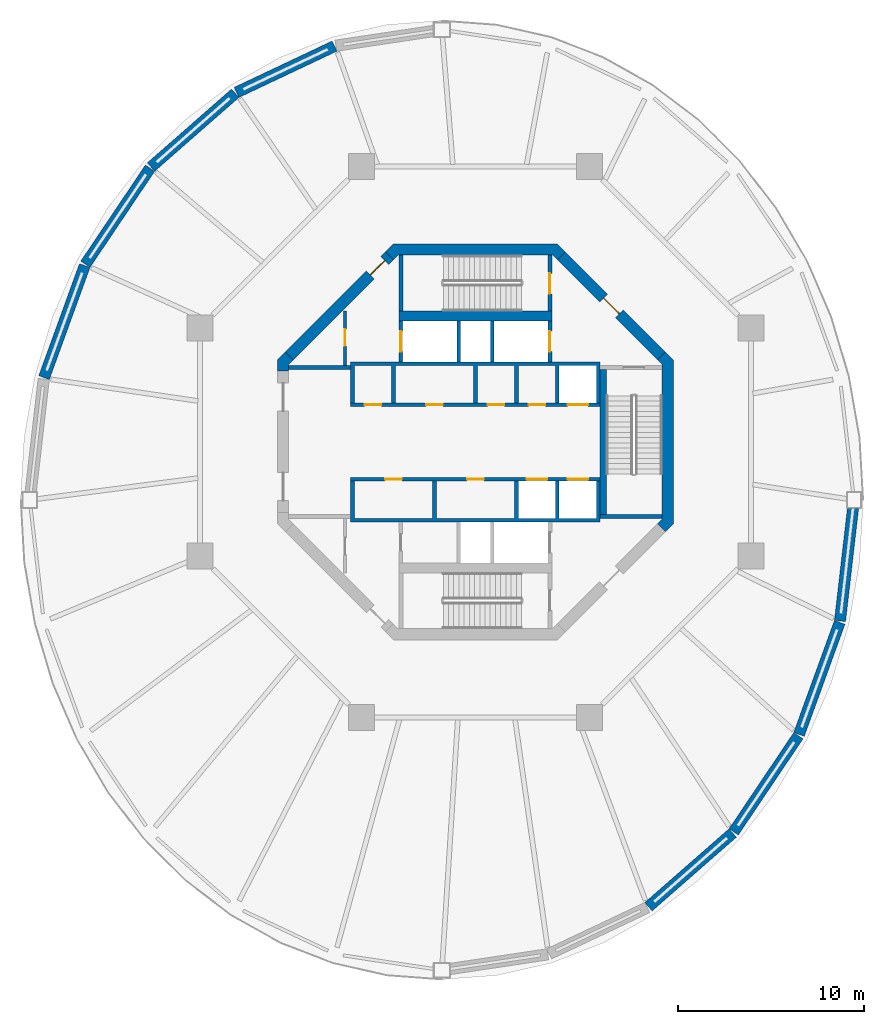
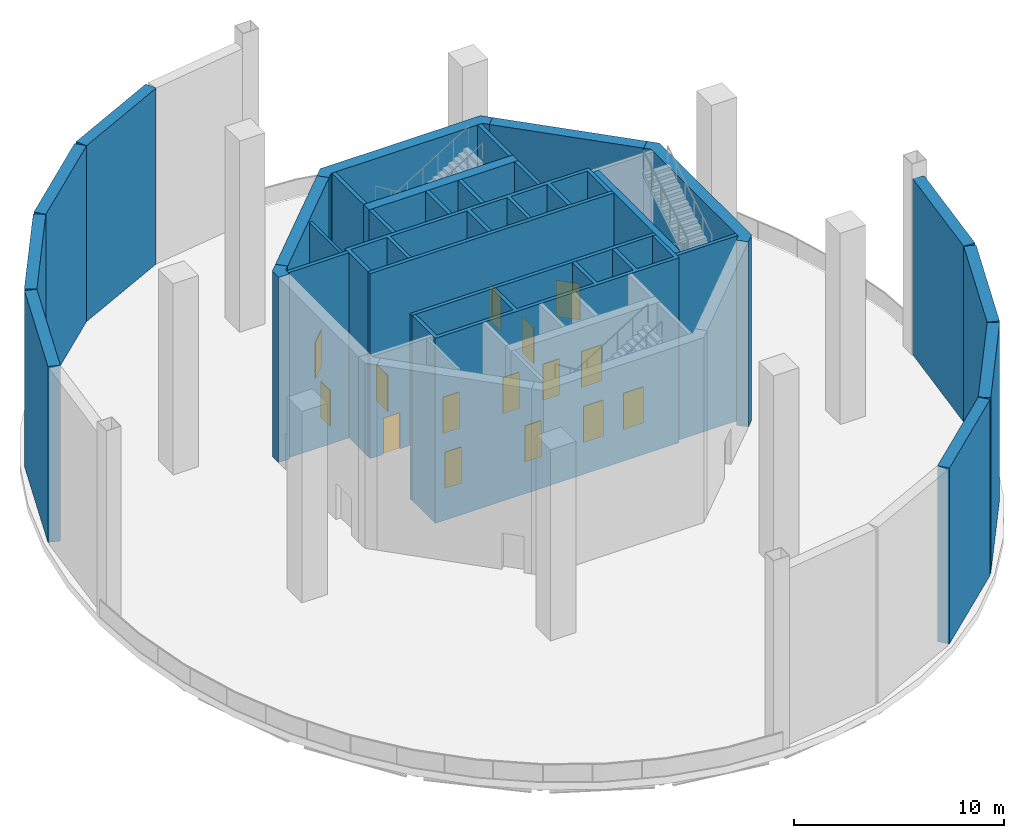
# One storey, part 3 of 7: 28 walls, 15 doors, 15 openings.
"""IFC4 building model written with IfcOpenShell, lengths in metres."""

from ifc_helpers import new_model, si_unit, direction, frame, frame_2d, origin, place, context, subcontext, project, spatial, polyline, rectangle, outline, extrude, material, layer, layer_set, type_object, element, fill, save


model = new_model("IFC4")

# Units and contexts
model_context = context("Model", 3, precision=1e-05, world=origin(), true_north=direction((0.0, 1.0)))
body_context = subcontext(model_context, "Body", "Model", "MODEL_VIEW")
ifc_project = project(units=[si_unit("LENGTHUNIT", "METRE"), si_unit("AREAUNIT", "SQUARE_METRE"), si_unit("VOLUMEUNIT", "CUBIC_METRE"), si_unit("PLANEANGLEUNIT", "RADIAN"), si_unit("MASSUNIT", "GRAM", prefix="KILO")], contexts=[model_context])

# Site, building, storey
site_placement = place(None, origin())
site = spatial("IfcSite", under=ifc_project, at=site_placement, CompositionType="ELEMENT")
building_placement = place(site_placement, origin())
building = spatial("IfcBuilding", under=site, at=building_placement, Name="Nagisa Residences", CompositionType="ELEMENT")
storey_placement = place(building_placement, frame((0.0, 0.0, 299.199951171875)))
storey = spatial("IfcBuildingStorey", under=building, at=storey_placement, Name="L76", CompositionType="ELEMENT", Elevation=299.199951171875)

# Wall, opening, door
ifc_material_1 = material(Name="Gypsum board on steel studs", Category="steel")
ifc_layer_1 = layer(ifc_material_1, 0.14990234375)
ifc_layer_set_1 = layer_set([ifc_layer_1], Name="Core partition 150")
wall_type_1 = type_object("IfcWallType", Name="Core partition 150", PredefinedType="PARTITIONING", material=ifc_layer_set_1)
wall_1_placement = place(storey_placement, frame((-7.0, 4.10009765625, 0.0), z_axis=(0.0, 0.0, 1.0), x_axis=(0.0, 1.0, 0.0)))
wall_1 = element("IfcWall", 1, at=wall_1_placement, inside=storey, type_object=wall_type_1, Name="wall:L76:NWp", PredefinedType="PARTITIONING", context=body_context, shape_type="SweptSolid", body=[
    extrude(rectangle(XDim=2.9267578125, YDim=0.14990234375, at=frame_2d((1.46337890625, 0.0))), origin(), (0.0, 0.0, 1.0), 10.75),
])
opening_1_placement = place(wall_1_placement, frame((1.051025390625, 0.0, 0.0)))
opening_1 = element("IfcOpeningElement", 2, at=opening_1_placement, cuts=wall_1, Name="Opening L76-C10", PredefinedType="OPENING", context=body_context, shape_type="SweptSolid", body=[
    extrude(rectangle(XDim=0.89990234375, YDim=2.10009765625, at=frame_2d((0.449951171875, 1.050048828125))), frame((0.0, 0.0849609375, 0.0), z_axis=(0.0, -1.0, 0.0), x_axis=(1.0, 0.0, 0.0)), (0.0, 0.0, 1.0), 0.169921875),
])
ifc_material_2 = material(Name="Steel fire door", Category="steel")
door_type_1 = type_object("IfcDoorType", Name="Fire door EI30 900x2100 single swing", OperationType="NOTDEFINED", PredefinedType="DOOR", material=ifc_material_2)
door_1_placement = place(opening_1_placement, origin())
door_1 = element("IfcDoor", 3, at=door_1_placement, inside=storey, type_object=door_type_1, Name="Electrical room door L76", OperationType="SINGLE_SWING_LEFT", OverallHeight=2.10009765625, OverallWidth=0.89990234375, PredefinedType="DOOR", context=body_context, shape_type="SweptSolid", body=[
    extrude(rectangle(XDim=0.89990234375, YDim=2.10009765625, at=frame_2d((0.449951171875, 1.050048828125))), frame((0.0, 0.02490234375, 0.0), z_axis=(0.0, -1.0, 0.0), x_axis=(1.0, 0.0, 0.0)), (0.0, 0.0, 1.0), 0.050048828125),
])
fill(opening_1, door_1)

# Wall
ifc_material_3 = material(Name="Gypsum board on steel studs", Category="steel")
ifc_layer_2 = layer(ifc_material_3, 0.199951171875)
ifc_layer_set_2 = layer_set([ifc_layer_2], Name="Core partition 200")
wall_type_2 = type_object("IfcWallType", Name="Core partition 200", PredefinedType="PARTITIONING", material=ifc_layer_set_2)
wall_2_placement = place(storey_placement, frame((-10.024658203125, 4.0, 0.0), z_axis=(0.0, 0.0, 1.0), x_axis=(1.0, 0.0, 0.0)))
element("IfcWall", 4, at=wall_2_placement, inside=storey, type_object=wall_type_2, Name="wall:L76:PNW", PredefinedType="PARTITIONING", context=body_context, shape_type="SweptSolid", body=[
    extrude(rectangle(XDim=3.32470703125, YDim=0.199951171875, at=frame_2d((1.662353515625, 0.0))), origin(), (0.0, 0.0, 1.0), 10.75),
])

# Wall, opening, door
ifc_material_4 = material(Name="Concrete C60", Category="concrete")
ifc_layer_3 = layer(ifc_material_4, 0.60009765625)
ifc_layer_set_3 = layer_set([ifc_layer_3], Name="Core shear wall 600")
wall_type_3 = type_object("IfcWallType", Name="Core shear wall 600", PredefinedType="SHEAR", material=ifc_layer_set_3)
wall_3_placement = place(storey_placement, frame((9.98828125, 4.613037109375, 0.0), z_axis=(0.0, 0.0, 1.0), x_axis=(-0.707106781187, 0.707106781187, 0.0)))
wall_3 = element("IfcWall", 5, at=wall_3_placement, inside=storey, type_object=wall_type_3, Name="wall:L76:core:flat1", PredefinedType="SHEAR", context=body_context, shape_type="SweptSolid", body=[
    extrude(rectangle(XDim=7.601806640625, YDim=0.60009765625, at=frame_2d((3.80078125, 0.0))), origin(), (0.0, 0.0, 1.0), 10.75),
])
opening_2_placement = place(wall_3_placement, frame((3.200927734375, 0.0, 0.0)))
opening_2 = element("IfcOpeningElement", 6, at=opening_2_placement, cuts=wall_3, Name="Opening L76-C19", PredefinedType="OPENING", context=body_context, shape_type="SweptSolid", body=[
    extrude(rectangle(XDim=1.199951171875, YDim=2.10009765625, at=frame_2d((0.60009765625, 1.050048828125))), frame((0.0, 0.31005859375, 0.0), z_axis=(0.0, -1.0, 0.0), x_axis=(1.0, 0.0, 0.0)), (0.0, 0.0, 1.0), 0.6201171875),
])
ifc_material_5 = material(Name="Steel fire door", Category="steel")
door_type_2 = type_object("IfcDoorType", Name="Fire door EI60 1200x2100 single swing", OperationType="NOTDEFINED", PredefinedType="DOOR", material=ifc_material_5)
door_2_placement = place(opening_2_placement, origin())
door_2 = element("IfcDoor", 7, at=door_2_placement, inside=storey, type_object=door_type_2, Name="Firefighting lobby 1 door L76", OperationType="SINGLE_SWING_LEFT", OverallHeight=2.10009765625, OverallWidth=1.199951171875, PredefinedType="DOOR", context=body_context, shape_type="SweptSolid", body=[
    extrude(rectangle(XDim=1.199951171875, YDim=2.10009765625, at=frame_2d((0.60009765625, 1.050048828125))), frame((0.0, 0.02490234375, 0.0), z_axis=(0.0, -1.0, 0.0), x_axis=(1.0, 0.0, 0.0)), (0.0, 0.0, 1.0), 0.050048828125),
])
fill(opening_2, door_2)

wall_4_placement = place(storey_placement, frame((-4.613037109375, 9.98828125, 0.0), z_axis=(0.0, 0.0, 1.0), x_axis=(-0.707106781187, -0.707106781187, 0.0)))
wall_4 = element("IfcWall", 8, at=wall_4_placement, inside=storey, type_object=wall_type_3, Name="wall:L76:core:flat3", PredefinedType="SHEAR", context=body_context, shape_type="SweptSolid", body=[
    extrude(rectangle(XDim=7.601806640625, YDim=0.60009765625, at=frame_2d((3.80078125, 0.0))), origin(), (0.0, 0.0, 1.0), 10.75),
])
opening_3_placement = place(wall_4_placement, frame((0.350830078125, 0.0, 0.0)))
opening_3 = element("IfcOpeningElement", 9, at=opening_3_placement, cuts=wall_4, Name="Opening L76-C23", PredefinedType="OPENING", context=body_context, shape_type="SweptSolid", body=[
    extrude(rectangle(XDim=1.10009765625, YDim=2.10009765625, at=frame_2d((0.550048828125, 1.050048828125))), frame((0.0, 0.31005859375, 0.0), z_axis=(0.0, -1.0, 0.0), x_axis=(1.0, 0.0, 0.0)), (0.0, 0.0, 1.0), 0.6201171875),
])
ifc_material_6 = material(Name="Steel fire door", Category="steel")
door_type_3 = type_object("IfcDoorType", Name="Fire door EI60 1100x2100 single swing", OperationType="NOTDEFINED", PredefinedType="DOOR", material=ifc_material_6)
door_3_placement = place(opening_3_placement, origin())
door_3 = element("IfcDoor", 10, at=door_3_placement, inside=storey, type_object=door_type_3, Name="Service lobby door L76", OperationType="SINGLE_SWING_LEFT", OverallHeight=2.10009765625, OverallWidth=1.10009765625, PredefinedType="DOOR", context=body_context, shape_type="SweptSolid", body=[
    extrude(rectangle(XDim=1.10009765625, YDim=2.10009765625, at=frame_2d((0.550048828125, 1.050048828125))), frame((0.0, 0.02490234375, 0.0), z_axis=(0.0, -1.0, 0.0), x_axis=(1.0, 0.0, 0.0)), (0.0, 0.0, 1.0), 0.050048828125),
])
fill(opening_3, door_3)

# Walls
wall_5_placement = place(storey_placement, origin())
element("IfcWall", 11, at=wall_5_placement, inside=storey, type_object=wall_type_3, Name="wall:L76:core:pier3", PredefinedType="SHEAR", context=body_context, shape_type="SweptSolid", body=[
    extrude(outline(polyline([(-10.200439453125, 4.8251953125), (-9.776123046875, 4.40087890625), (-10.024658203125, 4.15234375), (-10.024658203125, 3.80078125), (-10.62451171875, 3.80078125), (-10.62451171875, 4.40087890625), (-10.200439453125, 4.8251953125)])), origin(), (0.0, 0.0, 1.0), 10.75),
])
wall_6_placement = place(storey_placement, origin())
element("IfcWall", 12, at=wall_6_placement, inside=storey, type_object=wall_type_3, Name="wall:L76:core:flat2", PredefinedType="SHEAR", context=body_context, shape_type="SweptSolid", body=[
    extrude(outline(polyline([(-4.15234375, 10.024658203125), (-4.40087890625, 9.776123046875), (-4.8251953125, 10.200439453125), (-4.40087890625, 10.62451171875), (4.40087890625, 10.62451171875), (4.8251953125, 10.200439453125), (4.40087890625, 9.776123046875), (4.15234375, 10.024658203125), (-4.15234375, 10.024658203125)])), origin(), (0.0, 0.0, 1.0), 10.75),
])
wall_7_placement = place(storey_placement, origin())
element("IfcWall", 13, at=wall_7_placement, inside=storey, type_object=wall_type_3, Name="wall:L76:core:flat0", PredefinedType="SHEAR", context=body_context, shape_type="SweptSolid", body=[
    extrude(outline(polyline([(9.776123046875, -4.40087890625), (10.024658203125, -4.15234375), (10.024658203125, -3.801025390625), (10.024658203125, 4.15234375), (9.776123046875, 4.40087890625), (10.200439453125, 4.8251953125), (10.62451171875, 4.40087890625), (10.62451171875, -4.40087890625), (10.200439453125, -4.8251953125), (9.776123046875, -4.40087890625)])), origin(), (0.0, 0.0, 1.0), 10.75),
])

# Wall, opening, door
ifc_material_7 = material(Name="Concrete C60", Category="concrete")
ifc_layer_4 = layer(ifc_material_7, 0.199951171875)
ifc_layer_set_4 = layer_set([ifc_layer_4], Name="Lift shaft wall 200")
wall_type_4 = type_object("IfcWallType", Name="Lift shaft wall 200", PredefinedType="SOLIDWALL", material=ifc_layer_set_4)
wall_8_placement = place(storey_placement, frame((4.0, 4.300048828125, 0.0), z_axis=(0.0, 0.0, 1.0), x_axis=(0.0, 1.0, 0.0)))
wall_8 = element("IfcWall", 14, at=wall_8_placement, inside=storey, type_object=wall_type_4, Name="wall:L76:Nb3", PredefinedType="SOLIDWALL", context=body_context, shape_type="SweptSolid", body=[
    extrude(rectangle(XDim=2.199951171875, YDim=0.199951171875, at=frame_2d((1.10009765625, 0.0))), origin(), (0.0, 0.0, 1.0), 10.75),
])
opening_4_placement = place(wall_8_placement, frame((0.550048828125, 0.0, 0.0)))
opening_4 = element("IfcOpeningElement", 15, at=opening_4_placement, cuts=wall_8, Name="Opening L76-C04", PredefinedType="OPENING", context=body_context, shape_type="SweptSolid", body=[
    extrude(rectangle(XDim=1.10009765625, YDim=2.10009765625, at=frame_2d((0.550048828125, 1.050048828125))), frame((0.0, 0.10986328125, 0.0), z_axis=(0.0, -1.0, 0.0), x_axis=(1.0, 0.0, 0.0)), (0.0, 0.0, 1.0), 0.219970703125),
])
ifc_material_8 = material(Name="Stainless steel", Category="steel")
door_type_4 = type_object("IfcDoorType", Name="Lift landing door 1100x2100", OperationType="DOUBLE_DOOR_SLIDING", PredefinedType="DOOR", material=ifc_material_8)
door_4_placement = place(opening_4_placement, origin())
door_4 = element("IfcDoor", 16, at=door_4_placement, inside=storey, type_object=door_type_4, Name="Landing door FL1 L76", OperationType="DOUBLE_DOOR_SLIDING", OverallHeight=2.10009765625, OverallWidth=1.10009765625, PredefinedType="DOOR", context=body_context, shape_type="SweptSolid", body=[
    extrude(rectangle(XDim=1.10009765625, YDim=2.10009765625, at=frame_2d((0.550048828125, 1.050048828125))), frame((0.0, 0.02490234375, 0.0), z_axis=(0.0, -1.0, 0.0), x_axis=(1.0, 0.0, 0.0)), (0.0, 0.0, 1.0), 0.050048828125),
])
fill(opening_4, door_4)

wall_9_placement = place(storey_placement, frame((-4.0, 4.300048828125, 0.0), z_axis=(0.0, 0.0, 1.0), x_axis=(0.0, 1.0, 0.0)))
wall_9 = element("IfcWall", 17, at=wall_9_placement, inside=storey, type_object=wall_type_4, Name="wall:L76:Nb4", PredefinedType="SOLIDWALL", context=body_context, shape_type="SweptSolid", body=[
    extrude(rectangle(XDim=2.199951171875, YDim=0.199951171875, at=frame_2d((1.10009765625, 0.0))), origin(), (0.0, 0.0, 1.0), 10.75),
])
opening_5_placement = place(wall_9_placement, frame((0.550048828125, 0.0, 0.0)))
opening_5 = element("IfcOpeningElement", 18, at=opening_5_placement, cuts=wall_9, Name="Opening L76-C06", PredefinedType="OPENING", context=body_context, shape_type="SweptSolid", body=[
    extrude(rectangle(XDim=1.10009765625, YDim=2.10009765625, at=frame_2d((0.550048828125, 1.050048828125))), frame((0.0, 0.10986328125, 0.0), z_axis=(0.0, -1.0, 0.0), x_axis=(1.0, 0.0, 0.0)), (0.0, 0.0, 1.0), 0.219970703125),
])
door_5_placement = place(opening_5_placement, origin())
door_5 = element("IfcDoor", 19, at=door_5_placement, inside=storey, type_object=door_type_4, Name="Landing door SV L76", OperationType="DOUBLE_DOOR_SLIDING", OverallHeight=2.10009765625, OverallWidth=1.10009765625, PredefinedType="DOOR", context=body_context, shape_type="SweptSolid", body=[
    extrude(rectangle(XDim=1.10009765625, YDim=2.10009765625, at=frame_2d((0.550048828125, 1.050048828125))), frame((0.0, 0.02490234375, 0.0), z_axis=(0.0, -1.0, 0.0), x_axis=(1.0, 0.0, 0.0)), (0.0, 0.0, 1.0), 0.050048828125),
])
fill(opening_5, door_5)

# Wall, openings, doors
wall_10_placement = place(storey_placement, frame((-6.699951171875, 2.0, 0.0), z_axis=(0.0, 0.0, 1.0), x_axis=(1.0, 0.0, 0.0)))
wall_10 = element("IfcWall", 20, at=wall_10_placement, inside=storey, type_object=wall_type_4, Name="wall:L76:Nfront", PredefinedType="SOLIDWALL", context=body_context, shape_type="SweptSolid", body=[
    extrude(rectangle(XDim=13.39990234375, YDim=0.199951171875, at=frame_2d((6.699951171875, 0.0))), origin(), (0.0, 0.0, 1.0), 10.75),
])
opening_6_placement = place(wall_10_placement, frame((11.64990234375, 0.0, 0.0)))
opening_6 = element("IfcOpeningElement", 21, at=opening_6_placement, cuts=wall_10, Name="Opening L76-C01", PredefinedType="OPENING", context=body_context, shape_type="SweptSolid", body=[
    extrude(rectangle(XDim=1.10009765625, YDim=2.10009765625, at=frame_2d((0.550048828125, 1.050048828125))), frame((0.0, 0.10986328125, 0.0), z_axis=(0.0, -1.0, 0.0), x_axis=(1.0, 0.0, 0.0)), (0.0, 0.0, 1.0), 0.219970703125),
])
opening_7_placement = place(wall_10_placement, frame((0.75, 0.0, 0.0)))
opening_7 = element("IfcOpeningElement", 22, at=opening_7_placement, cuts=wall_10, Name="Opening L76-C13", PredefinedType="OPENING", context=body_context, shape_type="SweptSolid", body=[
    extrude(rectangle(XDim=0.89990234375, YDim=2.10009765625, at=frame_2d((0.449951171875, 1.050048828125))), frame((0.0, 0.10986328125, 0.0), z_axis=(0.0, -1.0, 0.0), x_axis=(1.0, 0.0, 0.0)), (0.0, 0.0, 1.0), 0.219970703125),
])
opening_8_placement = place(wall_10_placement, frame((4.050048828125, 0.0, 0.0)))
opening_8 = element("IfcOpeningElement", 23, at=opening_8_placement, cuts=wall_10, Name="Opening L76-C14", PredefinedType="OPENING", context=body_context, shape_type="SweptSolid", body=[
    extrude(rectangle(XDim=0.89990234375, YDim=2.10009765625, at=frame_2d((0.449951171875, 1.050048828125))), frame((0.0, 0.10986328125, 0.0), z_axis=(0.0, -1.0, 0.0), x_axis=(1.0, 0.0, 0.0)), (0.0, 0.0, 1.0), 0.219970703125),
])
opening_9_placement = place(wall_10_placement, frame((7.35009765625, 0.0, 0.0)))
opening_9 = element("IfcOpeningElement", 24, at=opening_9_placement, cuts=wall_10, Name="Opening L76-C15", PredefinedType="OPENING", context=body_context, shape_type="SweptSolid", body=[
    extrude(rectangle(XDim=0.89990234375, YDim=2.10009765625, at=frame_2d((0.449951171875, 1.050048828125))), frame((0.0, 0.10986328125, 0.0), z_axis=(0.0, -1.0, 0.0), x_axis=(1.0, 0.0, 0.0)), (0.0, 0.0, 1.0), 0.219970703125),
])
opening_10_placement = place(wall_10_placement, frame((9.550048828125, 0.0, 0.0)))
opening_10 = element("IfcOpeningElement", 25, at=opening_10_placement, cuts=wall_10, Name="Opening L76-C16", PredefinedType="OPENING", context=body_context, shape_type="SweptSolid", body=[
    extrude(rectangle(XDim=0.89990234375, YDim=2.10009765625, at=frame_2d((0.449951171875, 1.050048828125))), frame((0.0, 0.10986328125, 0.0), z_axis=(0.0, -1.0, 0.0), x_axis=(1.0, 0.0, 0.0)), (0.0, 0.0, 1.0), 0.219970703125),
])
door_6_placement = place(opening_7_placement, origin())
door_6 = element("IfcDoor", 26, at=door_6_placement, inside=storey, type_object=door_type_1, Name="Wine store door L76", OperationType="SINGLE_SWING_RIGHT", OverallHeight=2.10009765625, OverallWidth=0.89990234375, PredefinedType="DOOR", context=body_context, shape_type="SweptSolid", body=[
    extrude(rectangle(XDim=0.89990234375, YDim=2.10009765625, at=frame_2d((0.449951171875, 1.050048828125))), frame((0.0, 0.02490234375, 0.0), z_axis=(0.0, -1.0, 0.0), x_axis=(1.0, 0.0, 0.0)), (0.0, 0.0, 1.0), 0.050048828125),
])
fill(opening_7, door_6)
door_7_placement = place(opening_8_placement, origin())
door_7 = element("IfcDoor", 27, at=door_7_placement, inside=storey, type_object=door_type_1, Name="Package room door L76", OperationType="SINGLE_SWING_RIGHT", OverallHeight=2.10009765625, OverallWidth=0.89990234375, PredefinedType="DOOR", context=body_context, shape_type="SweptSolid", body=[
    extrude(rectangle(XDim=0.89990234375, YDim=2.10009765625, at=frame_2d((0.449951171875, 1.050048828125))), frame((0.0, 0.02490234375, 0.0), z_axis=(0.0, -1.0, 0.0), x_axis=(1.0, 0.0, 0.0)), (0.0, 0.0, 1.0), 0.050048828125),
])
fill(opening_8, door_7)
door_8_placement = place(opening_9_placement, origin())
door_8 = element("IfcDoor", 28, at=door_8_placement, inside=storey, type_object=door_type_1, Name="Linen store door L76", OperationType="SINGLE_SWING_RIGHT", OverallHeight=2.10009765625, OverallWidth=0.89990234375, PredefinedType="DOOR", context=body_context, shape_type="SweptSolid", body=[
    extrude(rectangle(XDim=0.89990234375, YDim=2.10009765625, at=frame_2d((0.449951171875, 1.050048828125))), frame((0.0, 0.02490234375, 0.0), z_axis=(0.0, -1.0, 0.0), x_axis=(1.0, 0.0, 0.0)), (0.0, 0.0, 1.0), 0.050048828125),
])
fill(opening_9, door_8)
door_9_placement = place(opening_10_placement, origin())
door_9 = element("IfcDoor", 29, at=door_9_placement, inside=storey, type_object=door_type_1, Name="Tea preparation door L76", OperationType="SINGLE_SWING_LEFT", OverallHeight=2.10009765625, OverallWidth=0.89990234375, PredefinedType="DOOR", context=body_context, shape_type="SweptSolid", body=[
    extrude(rectangle(XDim=0.89990234375, YDim=2.10009765625, at=frame_2d((0.449951171875, 1.050048828125))), frame((0.0, 0.02490234375, 0.0), z_axis=(0.0, -1.0, 0.0), x_axis=(1.0, 0.0, 0.0)), (0.0, 0.0, 1.0), 0.050048828125),
])
fill(opening_10, door_9)
door_10_placement = place(opening_6_placement, origin())
door_10 = element("IfcDoor", 30, at=door_10_placement, inside=storey, type_object=door_type_4, Name="Landing door C1 L76", OperationType="DOUBLE_DOOR_SLIDING", OverallHeight=2.10009765625, OverallWidth=1.10009765625, PredefinedType="DOOR", context=body_context, shape_type="SweptSolid", body=[
    extrude(rectangle(XDim=1.10009765625, YDim=2.10009765625, at=frame_2d((0.550048828125, 1.050048828125))), frame((0.0, 0.02490234375, 0.0), z_axis=(0.0, -1.0, 0.0), x_axis=(1.0, 0.0, 0.0)), (0.0, 0.0, 1.0), 0.050048828125),
])
fill(opening_6, door_10)

wall_11_placement = place(storey_placement, frame((-6.699951171875, -2.0, 0.0), z_axis=(0.0, 0.0, 1.0), x_axis=(1.0, 0.0, 0.0)))
wall_11 = element("IfcWall", 31, at=wall_11_placement, inside=storey, type_object=wall_type_4, Name="wall:L76:Sfront", PredefinedType="SOLIDWALL", context=body_context, shape_type="SweptSolid", body=[
    extrude(rectangle(XDim=13.39990234375, YDim=0.199951171875, at=frame_2d((6.699951171875, 0.0))), origin(), (0.0, 0.0, 1.0), 10.75),
])
opening_11_placement = place(wall_11_placement, frame((9.449951171875, 0.0, 0.0)))
opening_11 = element("IfcOpeningElement", 32, at=opening_11_placement, cuts=wall_11, Name="Opening L76-C02", PredefinedType="OPENING", context=body_context, shape_type="SweptSolid", body=[
    extrude(rectangle(XDim=1.10009765625, YDim=2.10009765625, at=frame_2d((0.550048828125, 1.050048828125))), frame((0.0, 0.10986328125, 0.0), z_axis=(0.0, -1.0, 0.0), x_axis=(1.0, 0.0, 0.0)), (0.0, 0.0, 1.0), 0.219970703125),
])
opening_12_placement = place(wall_11_placement, frame((11.64990234375, 0.0, 0.0)))
opening_12 = element("IfcOpeningElement", 33, at=opening_12_placement, cuts=wall_11, Name="Opening L76-C03", PredefinedType="OPENING", context=body_context, shape_type="SweptSolid", body=[
    extrude(rectangle(XDim=1.10009765625, YDim=2.10009765625, at=frame_2d((0.550048828125, 1.050048828125))), frame((0.0, 0.10986328125, 0.0), z_axis=(0.0, -1.0, 0.0), x_axis=(1.0, 0.0, 0.0)), (0.0, 0.0, 1.0), 0.219970703125),
])
opening_13_placement = place(wall_11_placement, frame((1.85009765625, 0.0, 0.0)))
opening_13 = element("IfcOpeningElement", 34, at=opening_13_placement, cuts=wall_11, Name="Opening L76-C17", PredefinedType="OPENING", context=body_context, shape_type="SweptSolid", body=[
    extrude(rectangle(XDim=0.89990234375, YDim=2.10009765625, at=frame_2d((0.449951171875, 1.050048828125))), frame((0.0, 0.10986328125, 0.0), z_axis=(0.0, -1.0, 0.0), x_axis=(1.0, 0.0, 0.0)), (0.0, 0.0, 1.0), 0.219970703125),
])
opening_14_placement = place(wall_11_placement, frame((6.25, 0.0, 0.0)))
opening_14 = element("IfcOpeningElement", 35, at=opening_14_placement, cuts=wall_11, Name="Opening L76-C18", PredefinedType="OPENING", context=body_context, shape_type="SweptSolid", body=[
    extrude(rectangle(XDim=0.89990234375, YDim=2.10009765625, at=frame_2d((0.449951171875, 1.050048828125))), frame((0.0, 0.10986328125, 0.0), z_axis=(0.0, -1.0, 0.0), x_axis=(1.0, 0.0, 0.0)), (0.0, 0.0, 1.0), 0.219970703125),
])
door_11_placement = place(opening_13_placement, frame((0.89990234375, 0.0, 0.0), x_axis=(-1.0, 0.0, 0.0)))
door_11 = element("IfcDoor", 36, at=door_11_placement, inside=storey, type_object=door_type_1, Name="Housekeeping store door L76", OperationType="SINGLE_SWING_LEFT", OverallHeight=2.10009765625, OverallWidth=0.89990234375, PredefinedType="DOOR", context=body_context, shape_type="SweptSolid", body=[
    extrude(rectangle(XDim=0.89990234375, YDim=2.10009765625, at=frame_2d((0.449951171875, 1.050048828125))), frame((0.0, 0.02490234375, 0.0), z_axis=(0.0, -1.0, 0.0), x_axis=(1.0, 0.0, 0.0)), (0.0, 0.0, 1.0), 0.050048828125),
])
fill(opening_13, door_11)
door_12_placement = place(opening_14_placement, frame((0.89990234375, 0.0, 0.0), x_axis=(-1.0, 0.0, 0.0)))
door_12 = element("IfcDoor", 37, at=door_12_placement, inside=storey, type_object=door_type_1, Name="Owner storage door L76", OperationType="SINGLE_SWING_LEFT", OverallHeight=2.10009765625, OverallWidth=0.89990234375, PredefinedType="DOOR", context=body_context, shape_type="SweptSolid", body=[
    extrude(rectangle(XDim=0.89990234375, YDim=2.10009765625, at=frame_2d((0.449951171875, 1.050048828125))), frame((0.0, 0.02490234375, 0.0), z_axis=(0.0, -1.0, 0.0), x_axis=(1.0, 0.0, 0.0)), (0.0, 0.0, 1.0), 0.050048828125),
])
fill(opening_14, door_12)
door_13_placement = place(opening_11_placement, origin())
door_13 = element("IfcDoor", 38, at=door_13_placement, inside=storey, type_object=door_type_4, Name="Landing door C2 L76", OperationType="DOUBLE_DOOR_SLIDING", OverallHeight=2.10009765625, OverallWidth=1.10009765625, PredefinedType="DOOR", context=body_context, shape_type="SweptSolid", body=[
    extrude(rectangle(XDim=1.10009765625, YDim=2.10009765625, at=frame_2d((0.550048828125, 1.050048828125))), frame((0.0, 0.02490234375, 0.0), z_axis=(0.0, -1.0, 0.0), x_axis=(1.0, 0.0, 0.0)), (0.0, 0.0, 1.0), 0.050048828125),
])
fill(opening_11, door_13)
door_14_placement = place(opening_12_placement, origin())
door_14 = element("IfcDoor", 39, at=door_14_placement, inside=storey, type_object=door_type_4, Name="Landing door C3 L76", OperationType="DOUBLE_DOOR_SLIDING", OverallHeight=2.10009765625, OverallWidth=1.10009765625, PredefinedType="DOOR", context=body_context, shape_type="SweptSolid", body=[
    extrude(rectangle(XDim=1.10009765625, YDim=2.10009765625, at=frame_2d((0.550048828125, 1.050048828125))), frame((0.0, 0.02490234375, 0.0), z_axis=(0.0, -1.0, 0.0), x_axis=(1.0, 0.0, 0.0)), (0.0, 0.0, 1.0), 0.050048828125),
])
fill(opening_12, door_14)

# Walls
for number, where, z_axis, x_axis, name in (
    (40, (-0.89990234375, 4.300048828125, 0.0), (0.0, 0.0, 1.0), (0.0, 1.0, 0.0), "wall:L76:Nb1"),
    (41, (0.89990234375, 4.300048828125, 0.0), (0.0, 0.0, 1.0), (0.0, 1.0, 0.0), "wall:L76:Nb2"),
):
    element("IfcWall", number, at=place(storey_placement, frame(where, z_axis=z_axis, x_axis=x_axis)), inside=storey, type_object=wall_type_4, Name=name, PredefinedType="SOLIDWALL", context=body_context, shape_type="SweptSolid", body=[
        extrude(rectangle(XDim=2.199951171875, YDim=0.199951171875, at=frame_2d((1.10009765625, 0.0))), origin(), (0.0, 0.0, 1.0), 10.75),
    ])
wall_12_placement = place(storey_placement, origin())
element("IfcWall", 42, at=wall_12_placement, inside=storey, type_object=wall_type_4, Name="wall:L76:Nback", PredefinedType="SOLIDWALL", context=body_context, shape_type="SweptSolid", body=[
    extrude(outline(polyline([(-6.699951171875, 4.300048828125), (6.699951171875, 4.300048828125), (6.699951171875, 2.10009765625), (6.5, 2.10009765625), (6.5, 4.10009765625), (4.5, 4.10009765625), (4.5, 2.10009765625), (4.300048828125, 2.10009765625), (4.300048828125, 4.10009765625), (2.300048828125, 4.10009765625), (2.300048828125, 2.10009765625), (2.10009765625, 2.10009765625), (2.10009765625, 4.10009765625), (0.10009765625, 4.10009765625), (0.10009765625, 2.10009765625), (-0.10009765625, 2.10009765625), (-0.10009765625, 4.10009765625), (-4.300048828125, 4.10009765625), (-4.300048828125, 2.10009765625), (-4.5, 2.10009765625), (-4.5, 4.10009765625), (-6.5, 4.10009765625), (-6.5, 2.10009765625), (-6.699951171875, 2.10009765625), (-6.699951171875, 4.300048828125)])), origin(), (0.0, 0.0, 1.0), 10.75),
])
wall_13_placement = place(storey_placement, origin())
element("IfcWall", 43, at=wall_13_placement, inside=storey, type_object=wall_type_4, Name="wall:L76:Sback", PredefinedType="SOLIDWALL", context=body_context, shape_type="SweptSolid", body=[
    extrude(outline(polyline([(-6.699951171875, -2.10009765625), (-6.5, -2.10009765625), (-6.5, -4.10009765625), (-2.300048828125, -4.10009765625), (-2.300048828125, -2.10009765625), (-2.10009765625, -2.10009765625), (-2.10009765625, -4.10009765625), (2.10009765625, -4.10009765625), (2.10009765625, -2.10009765625), (2.300048828125, -2.10009765625), (2.300048828125, -4.10009765625), (4.300048828125, -4.10009765625), (4.300048828125, -2.10009765625), (4.5, -2.10009765625), (4.5, -4.10009765625), (6.5, -4.10009765625), (6.5, -2.10009765625), (6.699951171875, -2.10009765625), (6.699951171875, -4.300048828125), (-6.699951171875, -4.300048828125), (-6.699951171875, -2.10009765625)])), origin(), (0.0, 0.0, 1.0), 10.75),
])
ifc_material_9 = material(Name="Concrete C40/50", Category="concrete")
ifc_layer_5 = layer(ifc_material_9, 0.60009765625)
ifc_layer_set_5 = layer_set([ifc_layer_5], Name="PORTAL WALL 600")
wall_type_5 = type_object("IfcWallType", Name="PORTAL WALL 600", PredefinedType="SOLIDWALL", material=ifc_layer_set_5)
wall_14_placement = place(storey_placement, frame((-7.561279296875, 21.2451171875, 0.0), z_axis=(0.0, 0.0, 1.0), x_axis=(-0.904098784222, -0.427323517219, 0.0)))
element("IfcWall", 44, at=wall_14_placement, inside=storey, type_object=wall_type_5, Name="wall:L76:portal02", PredefinedType="SOLIDWALL", context=body_context, shape_type="SweptSolid", body=[
    extrude(rectangle(XDim=5.820556640625, YDim=0.60009765625, at=frame_2d((2.91015625, 0.0))), origin(), (0.0, 0.0, 1.0), 10.215087890625),
])
wall_15_placement = place(storey_placement, frame((-12.89013671875, 18.71435546875, 0.0), z_axis=(0.0, 0.0, 1.0), x_axis=(-0.75238034442, -0.658728940711, 0.0)))
element("IfcWall", 45, at=wall_15_placement, inside=storey, type_object=wall_type_5, Name="wall:L76:portal03", PredefinedType="SOLIDWALL", context=body_context, shape_type="SweptSolid", body=[
    extrude(rectangle(XDim=6.009033203125, YDim=0.60009765625, at=frame_2d((3.00439453125, 0.0))), origin(), (0.0, 0.0, 1.0), 10.215087890625),
])
wall_16_placement = place(storey_placement, frame((-17.463623046875, 14.696533203125, 0.0), z_axis=(0.0, 0.0, 1.0), x_axis=(-0.558002250426, -0.829839435385, 0.0)))
element("IfcWall", 46, at=wall_16_placement, inside=storey, type_object=wall_type_5, Name="wall:L76:portal04", PredefinedType="SOLIDWALL", context=body_context, shape_type="SweptSolid", body=[
    extrude(rectangle(XDim=6.219482421875, YDim=0.60009765625, at=frame_2d((3.10986328125, 0.0))), origin(), (0.0, 0.0, 1.0), 10.215087890625),
])
wall_17_placement = place(storey_placement, frame((-20.97021484375, 9.464599609375, 0.0), z_axis=(0.0, 0.0, 1.0), x_axis=(-0.341206669221, -0.939988302522, 0.0)))
element("IfcWall", 47, at=wall_17_placement, inside=storey, type_object=wall_type_5, Name="wall:L76:portal05", PredefinedType="SOLIDWALL", context=body_context, shape_type="SweptSolid", body=[
    extrude(rectangle(XDim=6.39599609375, YDim=0.60009765625, at=frame_2d((3.197998046875, 0.0))), origin(), (0.0, 0.0, 1.0), 10.215087890625),
])
wall_18_placement = place(storey_placement, frame((9.2900390625, -24.94970703125, 0.0), z_axis=(0.0, 0.0, 1.0), x_axis=(0.75238034442, 0.658728940711, 0.0)))
element("IfcWall", 48, at=wall_18_placement, inside=storey, type_object=wall_type_5, Name="wall:L76:portal09", PredefinedType="SOLIDWALL", context=body_context, shape_type="SweptSolid", body=[
    extrude(rectangle(XDim=6.009033203125, YDim=0.60009765625, at=frame_2d((3.00439453125, 0.0))), origin(), (0.0, 0.0, 1.0), 10.215087890625),
])
wall_19_placement = place(storey_placement, frame((13.863525390625, -20.931884765625, 0.0), z_axis=(0.0, 0.0, 1.0), x_axis=(0.558047458891, 0.829809034432, 0.0)))
element("IfcWall", 49, at=wall_19_placement, inside=storey, type_object=wall_type_5, Name="wall:L76:portal10", PredefinedType="SOLIDWALL", context=body_context, shape_type="SweptSolid", body=[
    extrude(rectangle(XDim=6.219482421875, YDim=0.60009765625, at=frame_2d((3.10986328125, 0.0))), origin(), (0.0, 0.0, 1.0), 10.215087890625),
])
wall_20_placement = place(storey_placement, frame((17.3701171875, -15.7001953125, 0.0), z_axis=(0.0, 0.0, 1.0), x_axis=(0.341240395233, 0.939976059621, 0.0)))
element("IfcWall", 50, at=wall_20_placement, inside=storey, type_object=wall_type_5, Name="wall:L76:portal11", PredefinedType="SOLIDWALL", context=body_context, shape_type="SweptSolid", body=[
    extrude(rectangle(XDim=6.396240234375, YDim=0.60009765625, at=frame_2d((3.1982421875, 0.0))), origin(), (0.0, 0.0, 1.0), 10.215087890625),
])
wall_21_placement = place(storey_placement, frame((19.57080078125, -9.610595703125, 0.0), z_axis=(0.0, 0.0, 1.0), x_axis=(0.114634731521, 0.993407710021, 0.0)))
element("IfcWall", 51, at=wall_21_placement, inside=storey, type_object=wall_type_5, Name="wall:L76:portal12", PredefinedType="SOLIDWALL", context=body_context, shape_type="SweptSolid", body=[
    extrude(rectangle(XDim=6.10595703125, YDim=0.60009765625, at=frame_2d((3.052978515625, 0.0))), origin(), (0.0, 0.0, 1.0), 10.215087890625),
])

# Wall, opening, door
ifc_material_10 = material(Name="Concrete C60", Category="concrete")
ifc_layer_6 = layer(ifc_material_10, 0.199951171875)
ifc_layer_set_6 = layer_set([ifc_layer_6], Name="Stair enclosure wall 200")
wall_type_6 = type_object("IfcWallType", Name="Stair enclosure wall 200", PredefinedType="SOLIDWALL", material=ifc_layer_set_6)
wall_22_placement = place(storey_placement, frame((4.0, 7.024658203125, 0.0), z_axis=(0.0, 0.0, 1.0), x_axis=(0.0, 1.0, 0.0)))
wall_22 = element("IfcWall", 52, at=wall_22_placement, inside=storey, type_object=wall_type_6, Name="wall:L76:SN_e", PredefinedType="SOLIDWALL", context=body_context, shape_type="SweptSolid", body=[
    extrude(rectangle(XDim=3.0, YDim=0.199951171875, at=frame_2d((1.5, 0.0))), origin(), (0.0, 0.0, 1.0), 10.75),
])
opening_15_placement = place(wall_22_placement, frame((0.92529296875, 0.0, 0.0)))
opening_15 = element("IfcOpeningElement", 53, at=opening_15_placement, cuts=wall_22, Name="Opening L76-C08", PredefinedType="OPENING", context=body_context, shape_type="SweptSolid", body=[
    extrude(rectangle(XDim=1.10009765625, YDim=2.10009765625, at=frame_2d((0.550048828125, 1.050048828125))), frame((0.0, 0.10986328125, 0.0), z_axis=(0.0, -1.0, 0.0), x_axis=(1.0, 0.0, 0.0)), (0.0, 0.0, 1.0), 0.219970703125),
])
ifc_material_11 = material(Name="Steel fire door", Category="steel")
door_type_5 = type_object("IfcDoorType", Name="Fire door EI90 1100x2100 single swing", OperationType="NOTDEFINED", PredefinedType="DOOR", material=ifc_material_11)
door_15_placement = place(opening_15_placement, origin())
door_15 = element("IfcDoor", 54, at=door_15_placement, inside=storey, type_object=door_type_5, Name="Stair door ST-N L76", OperationType="SINGLE_SWING_RIGHT", OverallHeight=2.10009765625, OverallWidth=1.10009765625, PredefinedType="DOOR", context=body_context, shape_type="SweptSolid", body=[
    extrude(rectangle(XDim=1.10009765625, YDim=2.10009765625, at=frame_2d((0.550048828125, 1.050048828125))), frame((0.0, 0.02490234375, 0.0), z_axis=(0.0, -1.0, 0.0), x_axis=(1.0, 0.0, 0.0)), (0.0, 0.0, 1.0), 0.050048828125),
])
fill(opening_15, door_15)

# Walls
wall_23_placement = place(storey_placement, origin())
element("IfcWall", 55, at=wall_23_placement, inside=storey, type_object=wall_type_6, Name="wall:L76:SN_w", PredefinedType="SOLIDWALL", context=body_context, shape_type="SweptSolid", body=[
    extrude(outline(polyline([(-3.89990234375, 7.024658203125), (-4.10009765625, 7.024658203125), (-4.10009765625, 10.024658203125), (-3.89990234375, 10.024658203125), (-3.89990234375, 7.024658203125)])), origin(), (0.0, 0.0, 1.0), 10.75),
])
wall_24_placement = place(storey_placement, origin())
element("IfcWall", 56, at=wall_24_placement, inside=storey, type_object=wall_type_6, Name="wall:L76:SN_s", PredefinedType="SOLIDWALL", context=body_context, shape_type="SweptSolid", body=[
    extrude(outline(polyline([(4.10009765625, 6.5), (-4.10009765625, 6.5), (-4.10009765625, 7.024658203125), (4.10009765625, 7.024658203125), (4.10009765625, 6.5)])), origin(), (0.0, 0.0, 1.0), 10.75),
])
wall_25_placement = place(storey_placement, origin())
element("IfcWall", 57, at=wall_25_placement, inside=storey, type_object=wall_type_6, Name="wall:L76:SE_w", PredefinedType="SOLIDWALL", context=body_context, shape_type="SweptSolid", body=[
    extrude(outline(polyline([(7.024658203125, -3.89990234375), (6.699951171875, -3.89990234375), (6.699951171875, 3.89990234375), (7.024658203125, 3.89990234375), (7.024658203125, -3.89990234375)])), origin(), (0.0, 0.0, 1.0), 10.75),
])
wall_26_placement = place(storey_placement, origin())
element("IfcWall", 58, at=wall_26_placement, inside=storey, type_object=wall_type_6, Name="wall:L76:SE_s", PredefinedType="SOLIDWALL", context=body_context, shape_type="SweptSolid", body=[
    extrude(outline(polyline([(10.024658203125, -4.10009765625), (6.699951171875, -4.10009765625), (6.699951171875, -3.89990234375), (10.024658203125, -3.89990234375), (10.024658203125, -4.10009765625)])), origin(), (0.0, 0.0, 1.0), 10.75),
])

save(model, "model.ifc")
